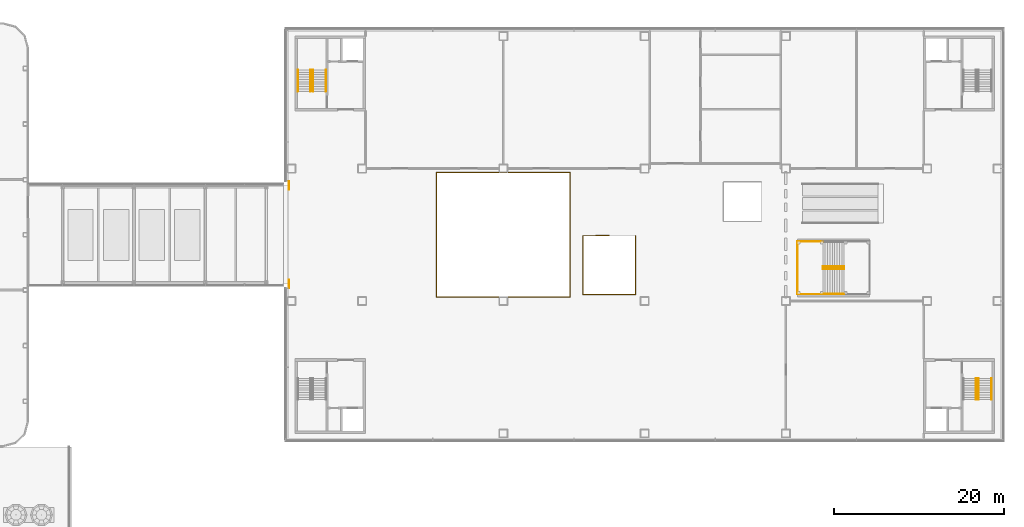
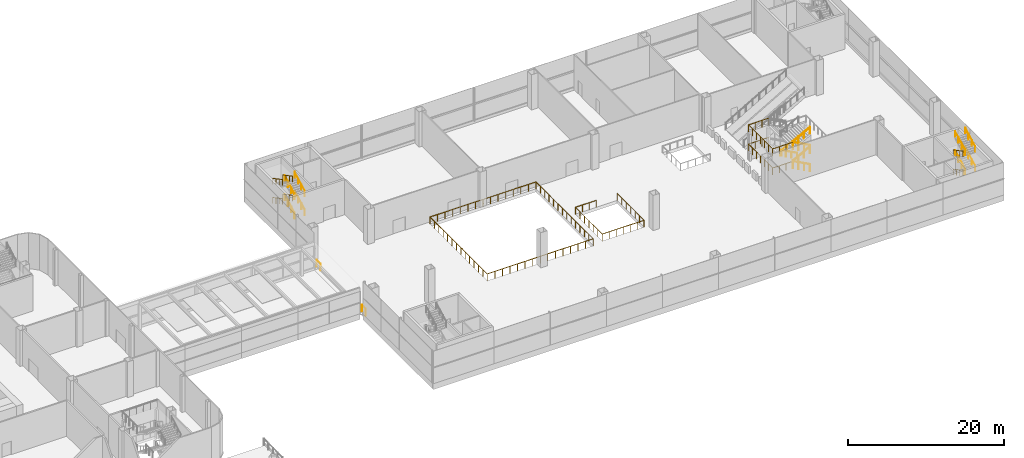
# One storey, part 90 of 100: 28 railings.
"""IFC4 building model written with IfcOpenShell, lengths in metres."""

from ifc_helpers import new_model, si_unit, direction, frame, origin, origin_2d, place, context, subcontext, project, spatial, circle, extrude, material, type_object, element, save


model = new_model("IFC4")

# Units and contexts
model_context = context("Model", 3, precision=1e-05, world=origin(), true_north=direction((0.0, 1.0)))
body_context = subcontext(model_context, "Body", "Model", "MODEL_VIEW")
ifc_project = project(units=[si_unit("LENGTHUNIT", "METRE"), si_unit("AREAUNIT", "SQUARE_METRE"), si_unit("VOLUMEUNIT", "CUBIC_METRE"), si_unit("PLANEANGLEUNIT", "RADIAN"), si_unit("MASSUNIT", "GRAM", prefix="KILO")], contexts=[model_context])

# Site, building, storey
site_placement = place(None, origin())
site = spatial("IfcSite", under=ifc_project, at=site_placement, CompositionType="ELEMENT")
building_placement = place(site_placement, origin())
building = spatial("IfcBuilding", under=site, at=building_placement, Name="Hakoniwa Tower and Hamabe Station Hall", CompositionType="ELEMENT")
storey_placement = place(building_placement, frame((0.0, 0.0, 9.0)))
storey = spatial("IfcBuildingStorey", under=building, at=storey_placement, Name="L02", CompositionType="ELEMENT", Elevation=9.0)

# Railings
ifc_material_1 = material(Name="Stainless steel and glass", Category="steel")
railing_type_1 = type_object("IfcRailingType", Name="GUARD 1100", PredefinedType="GUARDRAIL", material=ifc_material_1)
railing_1_placement = place(storey_placement, frame((85.64990234375, 5.300048828125, 0.0)))
element("IfcRailing", 1, at=railing_1_placement, inside=storey, type_object=railing_type_1, Name="Guard slab edge beside the arcade opening", PredefinedType="GUARDRAIL", context=body_context, shape_type="SweptSolid", body=[
    extrude(circle(Radius=0.02392578125, at=origin_2d()), frame((0.0, 0.0, 1.076171875), z_axis=(0.0, 1.0, 0.0), x_axis=(-1.0, 0.0, 0.0)), (0.0, 0.0, 1.0), 1.0),
    extrude(circle(Radius=0.02099609375, at=origin_2d()), origin(), (0.0, 0.0, 1.0), 1.052001953125),
    extrude(circle(Radius=0.02099609375, at=origin_2d()), frame((0.0, 1.0, 0.0)), (0.0, 0.0, 1.0), 1.052001953125),
])
railing_2_placement = place(storey_placement, frame((85.64990234375, -5.300048828125, 0.0)))
element("IfcRailing", 2, at=railing_2_placement, inside=storey, type_object=railing_type_1, Name="Guard slab edge beside the arcade opening", PredefinedType="GUARDRAIL", context=body_context, shape_type="SweptSolid", body=[
    extrude(circle(Radius=0.02392578125, at=origin_2d()), frame((0.0, 0.0, 1.076171875), z_axis=(0.0, -1.0, 0.0), x_axis=(1.0, 0.0, 0.0)), (0.0, 0.0, 1.0), 1.0),
    extrude(circle(Radius=0.02099609375, at=origin_2d()), origin(), (0.0, 0.0, 1.0), 1.052001953125),
    extrude(circle(Radius=0.02099609375, at=origin_2d()), frame((0.0, -1.0, 0.0)), (0.0, 0.0, 1.0), 1.052001953125),
])
railing_3_placement = place(storey_placement, frame((103.050048828125, -7.35009765625, 0.0)))
element("IfcRailing", 3, at=railing_3_placement, inside=storey, type_object=railing_type_1, Name="Guard atrium opening L02", PredefinedType="GUARDRAIL", context=body_context, shape_type="SweptSolid", body=[
    extrude(circle(Radius=0.02392578125, at=origin_2d()), frame((0.0, 0.0, 1.076171875), z_axis=(1.0, 0.0, 0.0), x_axis=(0.0, 1.0, 0.0)), (0.0, 0.0, 1.0), 15.699951171875),
    extrude(circle(Radius=0.02392578125, at=origin_2d()), frame((15.699951171875, 0.0, 1.076171875), z_axis=(0.0, 1.0, 0.0), x_axis=(-1.0, 0.0, 0.0)), (0.0, 0.0, 1.0), 14.7001953125),
    extrude(circle(Radius=0.02392578125, at=origin_2d()), frame((15.699951171875, 14.7001953125, 1.076171875), z_axis=(-1.0, 0.0, 0.0), x_axis=(0.0, -1.0, 0.0)), (0.0, 0.0, 1.0), 15.699951171875),
    extrude(circle(Radius=0.02392578125, at=origin_2d()), frame((0.0, 14.7001953125, 1.076171875), z_axis=(0.0, -1.0, 0.0), x_axis=(1.0, 0.0, 0.0)), (0.0, 0.0, 1.0), 14.7001953125),
    extrude(circle(Radius=0.02099609375, at=origin_2d()), origin(), (0.0, 0.0, 1.0), 1.052001953125),
    extrude(circle(Radius=0.02099609375, at=origin_2d()), frame((1.121337890625, 0.0, 0.0)), (0.0, 0.0, 1.0), 1.052001953125),
    extrude(circle(Radius=0.02099609375, at=origin_2d()), frame((2.242919921875, 0.0, 0.0)), (0.0, 0.0, 1.0), 1.052001953125),
    extrude(circle(Radius=0.02099609375, at=origin_2d()), frame((3.3642578125, 0.0, 0.0)), (0.0, 0.0, 1.0), 1.052001953125),
    extrude(circle(Radius=0.02099609375, at=origin_2d()), frame((4.485595703125, 0.0, 0.0)), (0.0, 0.0, 1.0), 1.052001953125),
    extrude(circle(Radius=0.02099609375, at=origin_2d()), frame((5.607177734375, 0.0, 0.0)), (0.0, 0.0, 1.0), 1.052001953125),
    extrude(circle(Radius=0.02099609375, at=origin_2d()), frame((6.728515625, 0.0, 0.0)), (0.0, 0.0, 1.0), 1.052001953125),
    extrude(circle(Radius=0.02099609375, at=origin_2d()), frame((7.85009765625, 0.0, 0.0)), (0.0, 0.0, 1.0), 1.052001953125),
    extrude(circle(Radius=0.02099609375, at=origin_2d()), frame((8.971435546875, 0.0, 0.0)), (0.0, 0.0, 1.0), 1.052001953125),
    extrude(circle(Radius=0.02099609375, at=origin_2d()), frame((10.0927734375, 0.0, 0.0)), (0.0, 0.0, 1.0), 1.052001953125),
    extrude(circle(Radius=0.02099609375, at=origin_2d()), frame((11.21435546875, 0.0, 0.0)), (0.0, 0.0, 1.0), 1.052001953125),
    extrude(circle(Radius=0.02099609375, at=origin_2d()), frame((12.335693359375, 0.0, 0.0)), (0.0, 0.0, 1.0), 1.052001953125),
    extrude(circle(Radius=0.02099609375, at=origin_2d()), frame((13.45703125, 0.0, 0.0)), (0.0, 0.0, 1.0), 1.052001953125),
    extrude(circle(Radius=0.02099609375, at=origin_2d()), frame((14.57861328125, 0.0, 0.0)), (0.0, 0.0, 1.0), 1.052001953125),
    extrude(circle(Radius=0.02099609375, at=origin_2d()), frame((15.699951171875, 0.0, 0.0)), (0.0, 0.0, 1.0), 1.052001953125),
    extrude(circle(Radius=0.02099609375, at=origin_2d()), frame((15.699951171875, 1.130859375, 0.0)), (0.0, 0.0, 1.0), 1.052001953125),
    extrude(circle(Radius=0.02099609375, at=origin_2d()), frame((15.699951171875, 2.261474609375, 0.0)), (0.0, 0.0, 1.0), 1.052001953125),
    extrude(circle(Radius=0.02099609375, at=origin_2d()), frame((15.699951171875, 3.392333984375, 0.0)), (0.0, 0.0, 1.0), 1.052001953125),
    extrude(circle(Radius=0.02099609375, at=origin_2d()), frame((15.699951171875, 4.523193359375, 0.0)), (0.0, 0.0, 1.0), 1.052001953125),
    extrude(circle(Radius=0.02099609375, at=origin_2d()), frame((15.699951171875, 5.65380859375, 0.0)), (0.0, 0.0, 1.0), 1.052001953125),
    extrude(circle(Radius=0.02099609375, at=origin_2d()), frame((15.699951171875, 6.78466796875, 0.0)), (0.0, 0.0, 1.0), 1.052001953125),
    extrude(circle(Radius=0.02099609375, at=origin_2d()), frame((15.699951171875, 7.91552734375, 0.0)), (0.0, 0.0, 1.0), 1.052001953125),
    extrude(circle(Radius=0.02099609375, at=origin_2d()), frame((15.699951171875, 9.04638671875, 0.0)), (0.0, 0.0, 1.0), 1.052001953125),
    extrude(circle(Radius=0.02099609375, at=origin_2d()), frame((15.699951171875, 10.177001953125, 0.0)), (0.0, 0.0, 1.0), 1.052001953125),
    extrude(circle(Radius=0.02099609375, at=origin_2d()), frame((15.699951171875, 11.307861328125, 0.0)), (0.0, 0.0, 1.0), 1.052001953125),
    extrude(circle(Radius=0.02099609375, at=origin_2d()), frame((15.699951171875, 12.438720703125, 0.0)), (0.0, 0.0, 1.0), 1.052001953125),
    extrude(circle(Radius=0.02099609375, at=origin_2d()), frame((15.699951171875, 13.5693359375, 0.0)), (0.0, 0.0, 1.0), 1.052001953125),
    extrude(circle(Radius=0.02099609375, at=origin_2d()), frame((15.699951171875, 14.7001953125, 0.0)), (0.0, 0.0, 1.0), 1.052001953125),
    extrude(circle(Radius=0.02099609375, at=origin_2d()), frame((14.57861328125, 14.7001953125, 0.0)), (0.0, 0.0, 1.0), 1.052001953125),
    extrude(circle(Radius=0.02099609375, at=origin_2d()), frame((13.45703125, 14.7001953125, 0.0)), (0.0, 0.0, 1.0), 1.052001953125),
    extrude(circle(Radius=0.02099609375, at=origin_2d()), frame((12.335693359375, 14.7001953125, 0.0)), (0.0, 0.0, 1.0), 1.052001953125),
    extrude(circle(Radius=0.02099609375, at=origin_2d()), frame((11.21435546875, 14.7001953125, 0.0)), (0.0, 0.0, 1.0), 1.052001953125),
    extrude(circle(Radius=0.02099609375, at=origin_2d()), frame((10.0927734375, 14.7001953125, 0.0)), (0.0, 0.0, 1.0), 1.052001953125),
    extrude(circle(Radius=0.02099609375, at=origin_2d()), frame((8.971435546875, 14.7001953125, 0.0)), (0.0, 0.0, 1.0), 1.052001953125),
    extrude(circle(Radius=0.02099609375, at=origin_2d()), frame((7.85009765625, 14.7001953125, 0.0)), (0.0, 0.0, 1.0), 1.052001953125),
    extrude(circle(Radius=0.02099609375, at=origin_2d()), frame((6.728515625, 14.7001953125, 0.0)), (0.0, 0.0, 1.0), 1.052001953125),
    extrude(circle(Radius=0.02099609375, at=origin_2d()), frame((5.607177734375, 14.7001953125, 0.0)), (0.0, 0.0, 1.0), 1.052001953125),
    extrude(circle(Radius=0.02099609375, at=origin_2d()), frame((4.485595703125, 14.7001953125, 0.0)), (0.0, 0.0, 1.0), 1.052001953125),
    extrude(circle(Radius=0.02099609375, at=origin_2d()), frame((3.3642578125, 14.7001953125, 0.0)), (0.0, 0.0, 1.0), 1.052001953125),
    extrude(circle(Radius=0.02099609375, at=origin_2d()), frame((2.242919921875, 14.7001953125, 0.0)), (0.0, 0.0, 1.0), 1.052001953125),
    extrude(circle(Radius=0.02099609375, at=origin_2d()), frame((1.121337890625, 14.7001953125, 0.0)), (0.0, 0.0, 1.0), 1.052001953125),
    extrude(circle(Radius=0.02099609375, at=origin_2d()), frame((0.0, 14.7001953125, 0.0)), (0.0, 0.0, 1.0), 1.052001953125),
    extrude(circle(Radius=0.02099609375, at=origin_2d()), frame((0.0, 13.5693359375, 0.0)), (0.0, 0.0, 1.0), 1.052001953125),
    extrude(circle(Radius=0.02099609375, at=origin_2d()), frame((0.0, 12.438720703125, 0.0)), (0.0, 0.0, 1.0), 1.052001953125),
    extrude(circle(Radius=0.02099609375, at=origin_2d()), frame((0.0, 11.307861328125, 0.0)), (0.0, 0.0, 1.0), 1.052001953125),
    extrude(circle(Radius=0.02099609375, at=origin_2d()), frame((0.0, 10.177001953125, 0.0)), (0.0, 0.0, 1.0), 1.052001953125),
    extrude(circle(Radius=0.02099609375, at=origin_2d()), frame((0.0, 9.04638671875, 0.0)), (0.0, 0.0, 1.0), 1.052001953125),
    extrude(circle(Radius=0.02099609375, at=origin_2d()), frame((0.0, 7.91552734375, 0.0)), (0.0, 0.0, 1.0), 1.052001953125),
    extrude(circle(Radius=0.02099609375, at=origin_2d()), frame((0.0, 6.78466796875, 0.0)), (0.0, 0.0, 1.0), 1.052001953125),
    extrude(circle(Radius=0.02099609375, at=origin_2d()), frame((0.0, 5.65380859375, 0.0)), (0.0, 0.0, 1.0), 1.052001953125),
    extrude(circle(Radius=0.02099609375, at=origin_2d()), frame((0.0, 4.523193359375, 0.0)), (0.0, 0.0, 1.0), 1.052001953125),
    extrude(circle(Radius=0.02099609375, at=origin_2d()), frame((0.0, 3.392333984375, 0.0)), (0.0, 0.0, 1.0), 1.052001953125),
    extrude(circle(Radius=0.02099609375, at=origin_2d()), frame((0.0, 2.261474609375, 0.0)), (0.0, 0.0, 1.0), 1.052001953125),
    extrude(circle(Radius=0.02099609375, at=origin_2d()), frame((0.0, 1.130859375, 0.0)), (0.0, 0.0, 1.0), 1.052001953125),
])
railing_4_placement = place(storey_placement, frame((151.070068359375, -7.0, 0.14990234375)))
element("IfcRailing", 4, at=railing_4_placement, inside=storey, type_object=railing_type_1, Name="Stair guard PA1 2", PredefinedType="GUARDRAIL", context=body_context, shape_type="SweptSolid", body=[
    extrude(circle(Radius=0.02392578125, at=origin_2d()), frame((0.0, 0.0, 1.076171875), z_axis=(-0.881467274426, 0.0, 0.472245110209), x_axis=(0.0, -1.0, 0.0)), (0.0, 0.0, 1.0), 2.85888671875),
    extrude(circle(Radius=0.02099609375, at=origin_2d()), origin(), (0.0, 0.0, 1.0), 1.052001953125),
    extrude(circle(Radius=0.02099609375, at=origin_2d()), frame((-0.840087890625, 0.0, 0.449951171875)), (0.0, 0.0, 1.0), 1.052001953125),
    extrude(circle(Radius=0.02099609375, at=origin_2d()), frame((-1.679931640625, 0.0, 0.900146484375)), (0.0, 0.0, 1.0), 1.052001953125),
    extrude(circle(Radius=0.02099609375, at=origin_2d()), frame((-2.52001953125, 0.0, 1.35009765625)), (0.0, 0.0, 1.0), 1.052001953125),
])
railing_5_placement = place(storey_placement, frame((148.550048828125, -7.0, 1.64990234375)))
element("IfcRailing", 5, at=railing_5_placement, inside=storey, type_object=railing_type_1, Name="Stair guard PA1 4", PredefinedType="GUARDRAIL", context=body_context, shape_type="SweptSolid", body=[
    extrude(circle(Radius=0.02392578125, at=origin_2d()), frame((0.0, 0.0, 1.076171875), z_axis=(0.881467274426, 0.0, 0.472245110209), x_axis=(0.0, 1.0, 0.0)), (0.0, 0.0, 1.0), 2.85888671875),
    extrude(circle(Radius=0.02099609375, at=origin_2d()), origin(), (0.0, 0.0, 1.0), 1.052001953125),
    extrude(circle(Radius=0.02099609375, at=origin_2d()), frame((0.840087890625, 0.0, 0.449951171875)), (0.0, 0.0, 1.0), 1.052001953125),
    extrude(circle(Radius=0.02099609375, at=origin_2d()), frame((1.679931640625, 0.0, 0.900146484375)), (0.0, 0.0, 1.0), 1.052001953125),
    extrude(circle(Radius=0.02099609375, at=origin_2d()), frame((2.52001953125, 0.0, 1.35009765625)), (0.0, 0.0, 1.0), 1.052001953125),
])
railing_6_placement = place(storey_placement, frame((151.070068359375, -7.0, 3.14990234375)))
element("IfcRailing", 6, at=railing_6_placement, inside=storey, type_object=railing_type_1, Name="Stair guard PA1 6", PredefinedType="GUARDRAIL", context=body_context, shape_type="SweptSolid", body=[
    extrude(circle(Radius=0.02392578125, at=origin_2d()), frame((0.0, 0.0, 1.076171875), z_axis=(-0.881467274426, 0.0, 0.472245110209), x_axis=(0.0, -1.0, 0.0)), (0.0, 0.0, 1.0), 2.85888671875),
    extrude(circle(Radius=0.02099609375, at=origin_2d()), origin(), (0.0, 0.0, 1.0), 1.052001953125),
    extrude(circle(Radius=0.02099609375, at=origin_2d()), frame((-0.840087890625, 0.0, 0.449951171875)), (0.0, 0.0, 1.0), 1.052001953125),
    extrude(circle(Radius=0.02099609375, at=origin_2d()), frame((-1.679931640625, 0.0, 0.900146484375)), (0.0, 0.0, 1.0), 1.052001953125),
    extrude(circle(Radius=0.02099609375, at=origin_2d()), frame((-2.52001953125, 0.0, 1.35009765625)), (0.0, 0.0, 1.0), 1.052001953125),
])
railing_7_placement = place(storey_placement, frame((148.550048828125, -7.0, 4.64990234375)))
element("IfcRailing", 7, at=railing_7_placement, inside=storey, type_object=railing_type_1, Name="Stair guard PA1 8", PredefinedType="GUARDRAIL", context=body_context, shape_type="SweptSolid", body=[
    extrude(circle(Radius=0.02392578125, at=origin_2d()), frame((0.0, 0.0, 1.076171875), z_axis=(0.881467274426, 0.0, 0.472245110209), x_axis=(0.0, 1.0, 0.0)), (0.0, 0.0, 1.0), 2.85888671875),
    extrude(circle(Radius=0.02099609375, at=origin_2d()), origin(), (0.0, 0.0, 1.0), 1.052001953125),
    extrude(circle(Radius=0.02099609375, at=origin_2d()), frame((0.840087890625, 0.0, 0.449951171875)), (0.0, 0.0, 1.0), 1.052001953125),
    extrude(circle(Radius=0.02099609375, at=origin_2d()), frame((1.679931640625, 0.0, 0.900146484375)), (0.0, 0.0, 1.0), 1.052001953125),
    extrude(circle(Radius=0.02099609375, at=origin_2d()), frame((2.52001953125, 0.0, 1.35009765625)), (0.0, 0.0, 1.0), 1.052001953125),
])
railing_8_placement = place(storey_placement, frame((148.550048828125, -0.800048828125, 1.5)))
element("IfcRailing", 8, at=railing_8_placement, inside=storey, type_object=railing_type_1, Name="Landing guard PA1 1", PredefinedType="GUARDRAIL", context=body_context, shape_type="SweptSolid", body=[
    extrude(circle(Radius=0.02392578125, at=origin_2d()), frame((0.0, 0.0, 1.076171875), z_axis=(-1.0, 0.0, 0.0), x_axis=(0.0, -1.0, 0.0)), (0.0, 0.0, 1.0), 3.0),
    extrude(circle(Radius=0.02392578125, at=origin_2d()), frame((-3.0, 0.0, 1.076171875), z_axis=(0.0, -1.0, 0.0), x_axis=(1.0, 0.0, 0.0)), (0.0, 0.0, 1.0), 6.199951171875),
    extrude(circle(Radius=0.02392578125, at=origin_2d()), frame((-3.0, -6.199951171875, 1.076171875), z_axis=(1.0, 0.0, 0.0), x_axis=(0.0, 1.0, 0.0)), (0.0, 0.0, 1.0), 3.0),
    extrude(circle(Radius=0.02099609375, at=origin_2d()), origin(), (0.0, 0.0, 1.0), 1.052001953125),
    extrude(circle(Radius=0.02099609375, at=origin_2d()), frame((-1.0, 0.0, 0.0)), (0.0, 0.0, 1.0), 1.052001953125),
    extrude(circle(Radius=0.02099609375, at=origin_2d()), frame((-2.0, 0.0, 0.0)), (0.0, 0.0, 1.0), 1.052001953125),
    extrude(circle(Radius=0.02099609375, at=origin_2d()), frame((-3.0, 0.0, 0.0)), (0.0, 0.0, 1.0), 1.052001953125),
    extrude(circle(Radius=0.02099609375, at=origin_2d()), frame((-3.0, -1.033203125, 0.0)), (0.0, 0.0, 1.0), 1.052001953125),
    extrude(circle(Radius=0.02099609375, at=origin_2d()), frame((-3.0, -2.066650390625, 0.0)), (0.0, 0.0, 1.0), 1.052001953125),
    extrude(circle(Radius=0.02099609375, at=origin_2d()), frame((-3.0, -3.10009765625, 0.0)), (0.0, 0.0, 1.0), 1.052001953125),
    extrude(circle(Radius=0.02099609375, at=origin_2d()), frame((-3.0, -4.13330078125, 0.0)), (0.0, 0.0, 1.0), 1.052001953125),
    extrude(circle(Radius=0.02099609375, at=origin_2d()), frame((-3.0, -5.16650390625, 0.0)), (0.0, 0.0, 1.0), 1.052001953125),
    extrude(circle(Radius=0.02099609375, at=origin_2d()), frame((-3.0, -6.199951171875, 0.0)), (0.0, 0.0, 1.0), 1.052001953125),
    extrude(circle(Radius=0.02099609375, at=origin_2d()), frame((-2.0, -6.199951171875, 0.0)), (0.0, 0.0, 1.0), 1.052001953125),
    extrude(circle(Radius=0.02099609375, at=origin_2d()), frame((-1.0, -6.199951171875, 0.0)), (0.0, 0.0, 1.0), 1.052001953125),
    extrude(circle(Radius=0.02099609375, at=origin_2d()), frame((0.0, -6.199951171875, 0.0)), (0.0, 0.0, 1.0), 1.052001953125),
])
railing_9_placement = place(storey_placement, frame((148.550048828125, -0.800048828125, 4.5)))
element("IfcRailing", 9, at=railing_9_placement, inside=storey, type_object=railing_type_1, Name="Landing guard PA1 3", PredefinedType="GUARDRAIL", context=body_context, shape_type="SweptSolid", body=[
    extrude(circle(Radius=0.02392578125, at=origin_2d()), frame((0.0, 0.0, 1.076171875), z_axis=(-1.0, 0.0, 0.0), x_axis=(0.0, -1.0, 0.0)), (0.0, 0.0, 1.0), 3.0),
    extrude(circle(Radius=0.02392578125, at=origin_2d()), frame((-3.0, 0.0, 1.076171875), z_axis=(0.0, -1.0, 0.0), x_axis=(1.0, 0.0, 0.0)), (0.0, 0.0, 1.0), 6.199951171875),
    extrude(circle(Radius=0.02392578125, at=origin_2d()), frame((-3.0, -6.199951171875, 1.076171875), z_axis=(1.0, 0.0, 0.0), x_axis=(0.0, 1.0, 0.0)), (0.0, 0.0, 1.0), 3.0),
    extrude(circle(Radius=0.02099609375, at=origin_2d()), origin(), (0.0, 0.0, 1.0), 1.052001953125),
    extrude(circle(Radius=0.02099609375, at=origin_2d()), frame((-1.0, 0.0, 0.0)), (0.0, 0.0, 1.0), 1.052001953125),
    extrude(circle(Radius=0.02099609375, at=origin_2d()), frame((-2.0, 0.0, 0.0)), (0.0, 0.0, 1.0), 1.052001953125),
    extrude(circle(Radius=0.02099609375, at=origin_2d()), frame((-3.0, 0.0, 0.0)), (0.0, 0.0, 1.0), 1.052001953125),
    extrude(circle(Radius=0.02099609375, at=origin_2d()), frame((-3.0, -1.033203125, 0.0)), (0.0, 0.0, 1.0), 1.052001953125),
    extrude(circle(Radius=0.02099609375, at=origin_2d()), frame((-3.0, -2.066650390625, 0.0)), (0.0, 0.0, 1.0), 1.052001953125),
    extrude(circle(Radius=0.02099609375, at=origin_2d()), frame((-3.0, -3.10009765625, 0.0)), (0.0, 0.0, 1.0), 1.052001953125),
    extrude(circle(Radius=0.02099609375, at=origin_2d()), frame((-3.0, -4.13330078125, 0.0)), (0.0, 0.0, 1.0), 1.052001953125),
    extrude(circle(Radius=0.02099609375, at=origin_2d()), frame((-3.0, -5.16650390625, 0.0)), (0.0, 0.0, 1.0), 1.052001953125),
    extrude(circle(Radius=0.02099609375, at=origin_2d()), frame((-3.0, -6.199951171875, 0.0)), (0.0, 0.0, 1.0), 1.052001953125),
    extrude(circle(Radius=0.02099609375, at=origin_2d()), frame((-2.0, -6.199951171875, 0.0)), (0.0, 0.0, 1.0), 1.052001953125),
    extrude(circle(Radius=0.02099609375, at=origin_2d()), frame((-1.0, -6.199951171875, 0.0)), (0.0, 0.0, 1.0), 1.052001953125),
    extrude(circle(Radius=0.02099609375, at=origin_2d()), frame((0.0, -6.199951171875, 0.0)), (0.0, 0.0, 1.0), 1.052001953125),
])
railing_10_placement = place(storey_placement, frame((123.389892578125, -0.10009765625, 0.0)))
element("IfcRailing", 10, at=railing_10_placement, inside=storey, type_object=railing_type_1, Name="Guard CS1 opening L02", PredefinedType="GUARDRAIL", context=body_context, shape_type="SweptSolid", body=[
    extrude(circle(Radius=0.02392578125, at=origin_2d()), frame((0.0, 0.0, 1.076171875), z_axis=(-0.999994786468, -0.003229092403, 0.0), x_axis=(0.003229092403, -0.999994786468, 0.0)), (0.0, 0.0, 1.0), 3.099853515625),
    extrude(circle(Radius=0.02392578125, at=origin_2d()), frame((-3.099853515625, -0.010009765625, 1.076171875), z_axis=(0.0, -1.0, 0.0), x_axis=(1.0, 0.0, 0.0)), (0.0, 0.0, 1.0), 6.909912109375),
    extrude(circle(Radius=0.02392578125, at=origin_2d()), frame((-3.099853515625, -6.919921875, 1.076171875), z_axis=(1.0, 0.0, 0.0), x_axis=(0.0, 1.0, 0.0)), (0.0, 0.0, 1.0), 6.199951171875),
    extrude(circle(Radius=0.02392578125, at=origin_2d()), frame((3.10009765625, -6.919921875, 1.076171875), z_axis=(0.0, 1.0, 0.0), x_axis=(-1.0, 0.0, 0.0)), (0.0, 0.0, 1.0), 6.909912109375),
    extrude(circle(Radius=0.02099609375, at=origin_2d()), origin(), (0.0, 0.0, 1.0), 1.052001953125),
    extrude(circle(Radius=0.02099609375, at=origin_2d()), frame((-1.033203125, -0.00341796875, 0.0)), (0.0, 0.0, 1.0), 1.052001953125),
    extrude(circle(Radius=0.02099609375, at=origin_2d()), frame((-2.066650390625, -0.006591796875, 0.0)), (0.0, 0.0, 1.0), 1.052001953125),
    extrude(circle(Radius=0.02099609375, at=origin_2d()), frame((-3.099853515625, -0.010009765625, 0.0)), (0.0, 0.0, 1.0), 1.052001953125),
    extrude(circle(Radius=0.02099609375, at=origin_2d()), frame((-3.099853515625, -1.16162109375, 0.0)), (0.0, 0.0, 1.0), 1.052001953125),
    extrude(circle(Radius=0.02099609375, at=origin_2d()), frame((-3.099853515625, -2.313232421875, 0.0)), (0.0, 0.0, 1.0), 1.052001953125),
    extrude(circle(Radius=0.02099609375, at=origin_2d()), frame((-3.099853515625, -3.46484375, 0.0)), (0.0, 0.0, 1.0), 1.052001953125),
    extrude(circle(Radius=0.02099609375, at=origin_2d()), frame((-3.099853515625, -4.61669921875, 0.0)), (0.0, 0.0, 1.0), 1.052001953125),
    extrude(circle(Radius=0.02099609375, at=origin_2d()), frame((-3.099853515625, -5.768310546875, 0.0)), (0.0, 0.0, 1.0), 1.052001953125),
    extrude(circle(Radius=0.02099609375, at=origin_2d()), frame((-3.099853515625, -6.919921875, 0.0)), (0.0, 0.0, 1.0), 1.052001953125),
    extrude(circle(Radius=0.02099609375, at=origin_2d()), frame((-2.06640625, -6.919921875, 0.0)), (0.0, 0.0, 1.0), 1.052001953125),
    extrude(circle(Radius=0.02099609375, at=origin_2d()), frame((-1.033203125, -6.919921875, 0.0)), (0.0, 0.0, 1.0), 1.052001953125),
    extrude(circle(Radius=0.02099609375, at=origin_2d()), frame((0.0, -6.919921875, 0.0)), (0.0, 0.0, 1.0), 1.052001953125),
    extrude(circle(Radius=0.02099609375, at=origin_2d()), frame((1.033447265625, -6.919921875, 0.0)), (0.0, 0.0, 1.0), 1.052001953125),
    extrude(circle(Radius=0.02099609375, at=origin_2d()), frame((2.06689453125, -6.919921875, 0.0)), (0.0, 0.0, 1.0), 1.052001953125),
    extrude(circle(Radius=0.02099609375, at=origin_2d()), frame((3.10009765625, -6.919921875, 0.0)), (0.0, 0.0, 1.0), 1.052001953125),
    extrude(circle(Radius=0.02099609375, at=origin_2d()), frame((3.10009765625, -5.768310546875, 0.0)), (0.0, 0.0, 1.0), 1.052001953125),
    extrude(circle(Radius=0.02099609375, at=origin_2d()), frame((3.10009765625, -4.61669921875, 0.0)), (0.0, 0.0, 1.0), 1.052001953125),
    extrude(circle(Radius=0.02099609375, at=origin_2d()), frame((3.10009765625, -3.46484375, 0.0)), (0.0, 0.0, 1.0), 1.052001953125),
    extrude(circle(Radius=0.02099609375, at=origin_2d()), frame((3.10009765625, -2.313232421875, 0.0)), (0.0, 0.0, 1.0), 1.052001953125),
    extrude(circle(Radius=0.02099609375, at=origin_2d()), frame((3.10009765625, -1.16162109375, 0.0)), (0.0, 0.0, 1.0), 1.052001953125),
    extrude(circle(Radius=0.02099609375, at=origin_2d()), frame((3.10009765625, -0.010009765625, 0.0)), (0.0, 0.0, 1.0), 1.052001953125),
])
ifc_material_2 = material(Name="Stainless steel SUS304", Category="steel")
railing_type_2 = type_object("IfcRailingType", Name="HANDRAIL 900", PredefinedType="HANDRAIL", material=ifc_material_2)
for number, where, name in (
    (11, (90.0, 16.89990234375, 0.14990234375), "Handrail SS1 1"),
    (12, (88.5, 16.89990234375, 0.14990234375), "Handrail SS1 2"),
):
    element("IfcRailing", number, at=place(storey_placement, frame(where)), inside=storey, type_object=railing_type_2, Name=name, PredefinedType="HANDRAIL", context=body_context, shape_type="SweptSolid", body=[
        extrude(circle(Radius=0.02392578125, at=origin_2d()), frame((0.0, 0.0, 0.8759765625), z_axis=(0.0, 0.881467274426, 0.472245110209), x_axis=(-1.0, 0.0, 0.0)), (0.0, 0.0, 1.0), 2.85888671875),
        extrude(circle(Radius=0.02099609375, at=origin_2d()), origin(), (0.0, 0.0, 1.0), 0.851806640625),
        extrude(circle(Radius=0.02099609375, at=origin_2d()), frame((0.0, 0.840087890625, 0.449951171875)), (0.0, 0.0, 1.0), 0.851806640625),
        extrude(circle(Radius=0.02099609375, at=origin_2d()), frame((0.0, 1.679931640625, 0.900146484375)), (0.0, 0.0, 1.0), 0.851806640625),
        extrude(circle(Radius=0.02099609375, at=origin_2d()), frame((0.0, 2.52001953125, 1.35009765625)), (0.0, 0.0, 1.0), 0.851806640625),
    ])
for number, where, name in (
    (13, (88.199951171875, 19.419921875, 1.64990234375), "Handrail SS1 3"),
    (14, (86.699951171875, 19.419921875, 1.64990234375), "Handrail SS1 4"),
):
    element("IfcRailing", number, at=place(storey_placement, frame(where)), inside=storey, type_object=railing_type_2, Name=name, PredefinedType="HANDRAIL", context=body_context, shape_type="SweptSolid", body=[
        extrude(circle(Radius=0.02392578125, at=origin_2d()), frame((0.0, 0.0, 0.8759765625), z_axis=(0.0, -0.881467274426, 0.472245110209), x_axis=(1.0, 0.0, 0.0)), (0.0, 0.0, 1.0), 2.85888671875),
        extrude(circle(Radius=0.02099609375, at=origin_2d()), origin(), (0.0, 0.0, 1.0), 0.851806640625),
        extrude(circle(Radius=0.02099609375, at=origin_2d()), frame((0.0, -0.840087890625, 0.449951171875)), (0.0, 0.0, 1.0), 0.851806640625),
        extrude(circle(Radius=0.02099609375, at=origin_2d()), frame((0.0, -1.679931640625, 0.900146484375)), (0.0, 0.0, 1.0), 0.851806640625),
        extrude(circle(Radius=0.02099609375, at=origin_2d()), frame((0.0, -2.52001953125, 1.35009765625)), (0.0, 0.0, 1.0), 0.851806640625),
    ])
for number, where, name in (
    (15, (90.0, 16.89990234375, 3.14990234375), "Handrail SS1 5"),
    (16, (88.5, 16.89990234375, 3.14990234375), "Handrail SS1 6"),
):
    element("IfcRailing", number, at=place(storey_placement, frame(where)), inside=storey, type_object=railing_type_2, Name=name, PredefinedType="HANDRAIL", context=body_context, shape_type="SweptSolid", body=[
        extrude(circle(Radius=0.02392578125, at=origin_2d()), frame((0.0, 0.0, 0.8759765625), z_axis=(0.0, 0.881467274426, 0.472245110209), x_axis=(-1.0, 0.0, 0.0)), (0.0, 0.0, 1.0), 2.85888671875),
        extrude(circle(Radius=0.02099609375, at=origin_2d()), origin(), (0.0, 0.0, 1.0), 0.851806640625),
        extrude(circle(Radius=0.02099609375, at=origin_2d()), frame((0.0, 0.840087890625, 0.449951171875)), (0.0, 0.0, 1.0), 0.851806640625),
        extrude(circle(Radius=0.02099609375, at=origin_2d()), frame((0.0, 1.679931640625, 0.900146484375)), (0.0, 0.0, 1.0), 0.851806640625),
        extrude(circle(Radius=0.02099609375, at=origin_2d()), frame((0.0, 2.52001953125, 1.35009765625)), (0.0, 0.0, 1.0), 0.851806640625),
    ])
for number, where, name in (
    (17, (88.199951171875, 19.419921875, 4.64990234375), "Handrail SS1 7"),
    (18, (86.699951171875, 19.419921875, 4.64990234375), "Handrail SS1 8"),
    (19, (166.60009765625, -16.89990234375, 0.14990234375), "Handrail SS4 2"),
):
    element("IfcRailing", number, at=place(storey_placement, frame(where)), inside=storey, type_object=railing_type_2, Name=name, PredefinedType="HANDRAIL", context=body_context, shape_type="SweptSolid", body=[
        extrude(circle(Radius=0.02392578125, at=origin_2d()), frame((0.0, 0.0, 0.8759765625), z_axis=(0.0, -0.881467274426, 0.472245110209), x_axis=(1.0, 0.0, 0.0)), (0.0, 0.0, 1.0), 2.85888671875),
        extrude(circle(Radius=0.02099609375, at=origin_2d()), origin(), (0.0, 0.0, 1.0), 0.851806640625),
        extrude(circle(Radius=0.02099609375, at=origin_2d()), frame((0.0, -0.840087890625, 0.449951171875)), (0.0, 0.0, 1.0), 0.851806640625),
        extrude(circle(Radius=0.02099609375, at=origin_2d()), frame((0.0, -1.679931640625, 0.900146484375)), (0.0, 0.0, 1.0), 0.851806640625),
        extrude(circle(Radius=0.02099609375, at=origin_2d()), frame((0.0, -2.52001953125, 1.35009765625)), (0.0, 0.0, 1.0), 0.851806640625),
    ])
for number, where, name in (
    (20, (166.89990234375, -19.419921875, 1.64990234375), "Handrail SS4 3"),
    (21, (168.39990234375, -19.419921875, 1.64990234375), "Handrail SS4 4"),
):
    element("IfcRailing", number, at=place(storey_placement, frame(where)), inside=storey, type_object=railing_type_2, Name=name, PredefinedType="HANDRAIL", context=body_context, shape_type="SweptSolid", body=[
        extrude(circle(Radius=0.02392578125, at=origin_2d()), frame((0.0, 0.0, 0.8759765625), z_axis=(0.0, 0.881467274426, 0.472245110209), x_axis=(-1.0, 0.0, 0.0)), (0.0, 0.0, 1.0), 2.85888671875),
        extrude(circle(Radius=0.02099609375, at=origin_2d()), origin(), (0.0, 0.0, 1.0), 0.851806640625),
        extrude(circle(Radius=0.02099609375, at=origin_2d()), frame((0.0, 0.840087890625, 0.449951171875)), (0.0, 0.0, 1.0), 0.851806640625),
        extrude(circle(Radius=0.02099609375, at=origin_2d()), frame((0.0, 1.679931640625, 0.900146484375)), (0.0, 0.0, 1.0), 0.851806640625),
        extrude(circle(Radius=0.02099609375, at=origin_2d()), frame((0.0, 2.52001953125, 1.35009765625)), (0.0, 0.0, 1.0), 0.851806640625),
    ])
railing_11_placement = place(storey_placement, frame((166.60009765625, -16.89990234375, 3.14990234375)))
element("IfcRailing", 22, at=railing_11_placement, inside=storey, type_object=railing_type_2, Name="Handrail SS4 6", PredefinedType="HANDRAIL", context=body_context, shape_type="SweptSolid", body=[
    extrude(circle(Radius=0.02392578125, at=origin_2d()), frame((0.0, 0.0, 0.8759765625), z_axis=(0.0, -0.881467274426, 0.472245110209), x_axis=(1.0, 0.0, 0.0)), (0.0, 0.0, 1.0), 2.85888671875),
    extrude(circle(Radius=0.02099609375, at=origin_2d()), origin(), (0.0, 0.0, 1.0), 0.851806640625),
    extrude(circle(Radius=0.02099609375, at=origin_2d()), frame((0.0, -0.840087890625, 0.449951171875)), (0.0, 0.0, 1.0), 0.851806640625),
    extrude(circle(Radius=0.02099609375, at=origin_2d()), frame((0.0, -1.679931640625, 0.900146484375)), (0.0, 0.0, 1.0), 0.851806640625),
    extrude(circle(Radius=0.02099609375, at=origin_2d()), frame((0.0, -2.52001953125, 1.35009765625)), (0.0, 0.0, 1.0), 0.851806640625),
])
for number, where, name in (
    (23, (166.89990234375, -19.419921875, 4.64990234375), "Handrail SS4 7"),
    (24, (168.39990234375, -19.419921875, 4.64990234375), "Handrail SS4 8"),
):
    element("IfcRailing", number, at=place(storey_placement, frame(where)), inside=storey, type_object=railing_type_2, Name=name, PredefinedType="HANDRAIL", context=body_context, shape_type="SweptSolid", body=[
        extrude(circle(Radius=0.02392578125, at=origin_2d()), frame((0.0, 0.0, 0.8759765625), z_axis=(0.0, 0.881467274426, 0.472245110209), x_axis=(-1.0, 0.0, 0.0)), (0.0, 0.0, 1.0), 2.85888671875),
        extrude(circle(Radius=0.02099609375, at=origin_2d()), origin(), (0.0, 0.0, 1.0), 0.851806640625),
        extrude(circle(Radius=0.02099609375, at=origin_2d()), frame((0.0, 0.840087890625, 0.449951171875)), (0.0, 0.0, 1.0), 0.851806640625),
        extrude(circle(Radius=0.02099609375, at=origin_2d()), frame((0.0, 1.679931640625, 0.900146484375)), (0.0, 0.0, 1.0), 0.851806640625),
        extrude(circle(Radius=0.02099609375, at=origin_2d()), frame((0.0, 2.52001953125, 1.35009765625)), (0.0, 0.0, 1.0), 0.851806640625),
    ])
railing_12_placement = place(storey_placement, frame((151.070068359375, -3.75, 0.14990234375)))
element("IfcRailing", 25, at=railing_12_placement, inside=storey, type_object=railing_type_2, Name="Handrail PA1 2", PredefinedType="HANDRAIL", context=body_context, shape_type="SweptSolid", body=[
    extrude(circle(Radius=0.02392578125, at=origin_2d()), frame((0.0, 0.0, 0.8759765625), z_axis=(-0.881467274426, 0.0, 0.472245110209), x_axis=(0.0, -1.0, 0.0)), (0.0, 0.0, 1.0), 2.85888671875),
    extrude(circle(Radius=0.02099609375, at=origin_2d()), origin(), (0.0, 0.0, 1.0), 0.851806640625),
    extrude(circle(Radius=0.02099609375, at=origin_2d()), frame((-0.840087890625, 0.0, 0.449951171875)), (0.0, 0.0, 1.0), 0.851806640625),
    extrude(circle(Radius=0.02099609375, at=origin_2d()), frame((-1.679931640625, 0.0, 0.900146484375)), (0.0, 0.0, 1.0), 0.851806640625),
    extrude(circle(Radius=0.02099609375, at=origin_2d()), frame((-2.52001953125, 0.0, 1.35009765625)), (0.0, 0.0, 1.0), 0.851806640625),
])
for number, where, name in (
    (26, (148.550048828125, -4.050048828125, 1.64990234375), "Handrail PA1 3"),
    (27, (148.550048828125, -6.949951171875, 1.64990234375), "Handrail PA1 4"),
    (28, (148.550048828125, -6.949951171875, 4.64990234375), "Handrail PA1 8"),
):
    element("IfcRailing", number, at=place(storey_placement, frame(where)), inside=storey, type_object=railing_type_2, Name=name, PredefinedType="HANDRAIL", context=body_context, shape_type="SweptSolid", body=[
        extrude(circle(Radius=0.02392578125, at=origin_2d()), frame((0.0, 0.0, 0.8759765625), z_axis=(0.881467274426, 0.0, 0.472245110209), x_axis=(0.0, 1.0, 0.0)), (0.0, 0.0, 1.0), 2.85888671875),
        extrude(circle(Radius=0.02099609375, at=origin_2d()), origin(), (0.0, 0.0, 1.0), 0.851806640625),
        extrude(circle(Radius=0.02099609375, at=origin_2d()), frame((0.840087890625, 0.0, 0.449951171875)), (0.0, 0.0, 1.0), 0.851806640625),
        extrude(circle(Radius=0.02099609375, at=origin_2d()), frame((1.679931640625, 0.0, 0.900146484375)), (0.0, 0.0, 1.0), 0.851806640625),
        extrude(circle(Radius=0.02099609375, at=origin_2d()), frame((2.52001953125, 0.0, 1.35009765625)), (0.0, 0.0, 1.0), 0.851806640625),
    ])

save(model, "model.ifc")
